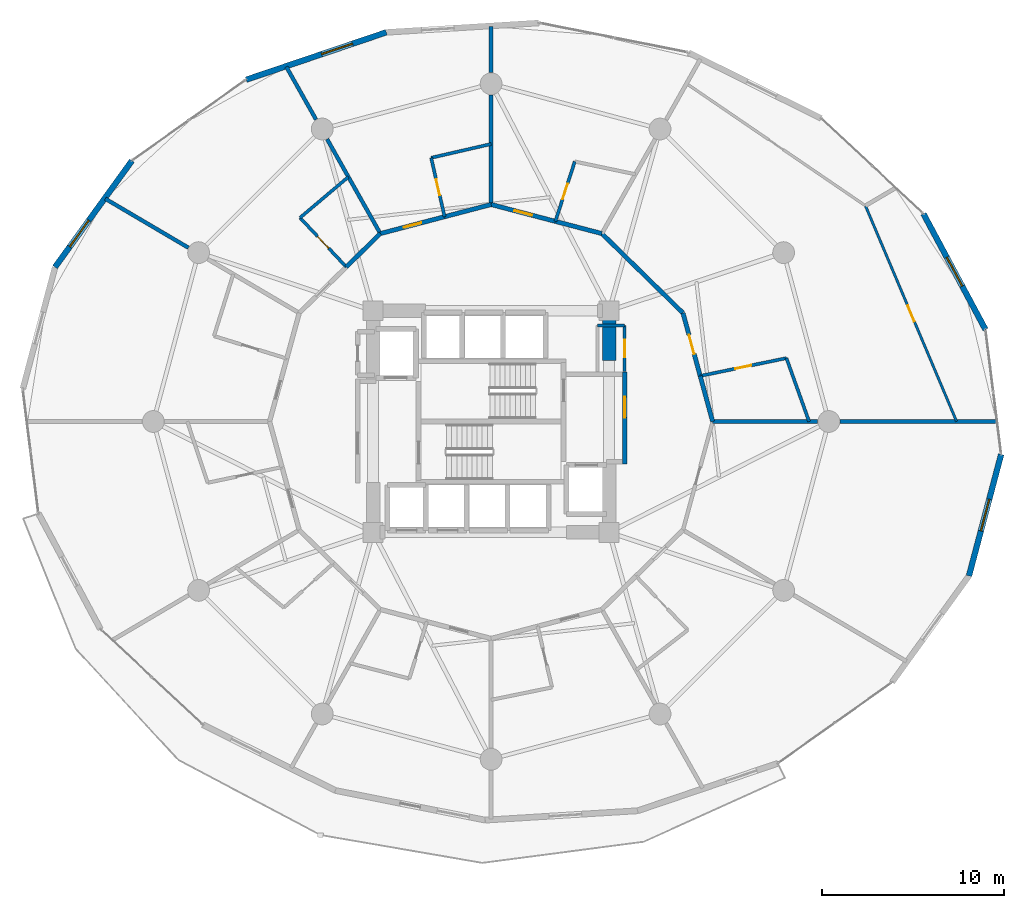
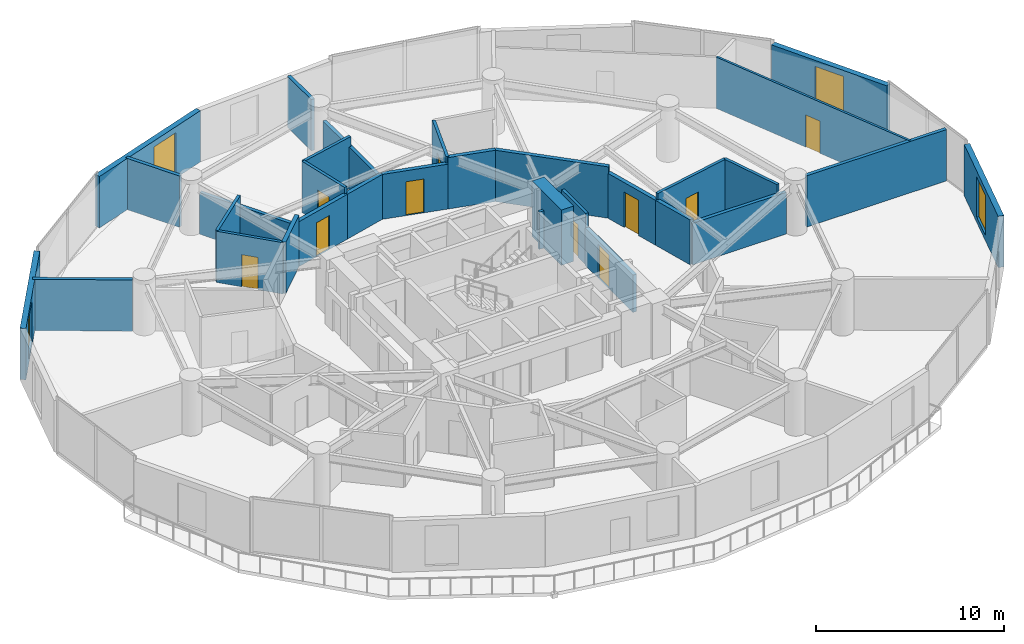
# One storey, part 22 of 26: 31 walls, 10 doors, 4 windows, 14 openings.
"""IFC4 building model written with IfcOpenShell, lengths in metres."""

from ifc_helpers import new_model, si_unit, direction, frame, frame_2d, origin, place, context, subcontext, project, spatial, rectangle, extrude, material, layer, layer_set, type_object, element, fill, save


model = new_model("IFC4")

# Units and contexts
model_context = context("Model", 3, precision=1e-05, world=origin(), true_north=direction((0.0, 1.0)))
body_context = subcontext(model_context, "Body", "Model", "MODEL_VIEW")
ifc_project = project(units=[si_unit("LENGTHUNIT", "METRE"), si_unit("AREAUNIT", "SQUARE_METRE"), si_unit("VOLUMEUNIT", "CUBIC_METRE"), si_unit("PLANEANGLEUNIT", "RADIAN"), si_unit("MASSUNIT", "GRAM", prefix="KILO")], contexts=[model_context])

# Site, building, storey
site_placement = place(None, origin())
site = spatial("IfcSite", under=ifc_project, at=site_placement, CompositionType="ELEMENT")
building_placement = place(site_placement, origin())
building = spatial("IfcBuilding", under=site, at=building_placement, Name="Solvirekh Grand Hotel", CompositionType="ELEMENT")
storey_placement = place(building_placement, frame((0.0, 0.0, 32.0)))
storey = spatial("IfcBuildingStorey", under=building, at=storey_placement, Name="L06", CompositionType="ELEMENT", Elevation=32.0)

# Wall
ifc_material_1 = material(Name="Concrete C60/75", Category="concrete")
ifc_layer_1 = layer(ifc_material_1, 0.75)
ifc_layer_set_1 = layer_set([ifc_layer_1], Name="Concrete C60/75")
wall_type_1 = type_object("IfcWallType", Name="CoreWall_RC750", PredefinedType="SHEAR", material=ifc_layer_set_1)
wall_1_placement = place(storey_placement, frame((6.5, 3.35009765625, 0.0), z_axis=(0.0, 0.0, 1.0), x_axis=(0.0, 1.0, 0.0)))
element("IfcWall", 1, at=wall_1_placement, inside=storey, type_object=wall_type_1, Name="L06 core corner shear wall EN-E", PredefinedType="SHEAR", context=body_context, shape_type="SweptSolid", body=[
    extrude(rectangle(XDim=3.125, YDim=0.75, at=frame_2d((1.5625, 0.0))), origin(), (0.0, 0.0, 1.0), 3.60009765625),
])

# Wall, opening, window
ifc_material_2 = material(Name="Precast concrete C45/55", Category="concrete")
ifc_layer_2 = layer(ifc_material_2, 0.320068359375)
ifc_layer_set_2 = layer_set([ifc_layer_2], Name="Precast concrete C45/55")
wall_type_2 = type_object("IfcWallType", Name="ExtLobbyWall_RC320", PredefinedType="SOLIDWALL", material=ifc_layer_set_2)
wall_2_placement = place(storey_placement, frame((23.81005859375, 11.43896484375, 0.0), z_axis=(0.0, 0.0, 1.0), x_axis=(0.472255130515, -0.881461905985, 0.0)))
wall_2 = element("IfcWall", 2, at=wall_2_placement, inside=storey, type_object=wall_type_2, Name="L06 exterior structural wall chord 2", PredefinedType="SOLIDWALL", context=body_context, shape_type="SweptSolid", body=[
    extrude(rectangle(XDim=7.2333984375, YDim=0.320068359375, at=frame_2d((3.61669921875, 0.0))), origin(), (0.0, 0.0, 1.0), 3.340087890625),
])
opening_1_placement = place(wall_2_placement, frame((2.717041015625, 0.0, 0.35009765625)))
opening_1 = element("IfcOpeningElement", 3, at=opening_1_placement, cuts=wall_2, Name="Opening W02", PredefinedType="OPENING", context=body_context, shape_type="SweptSolid", body=[
    extrude(rectangle(XDim=1.800048828125, YDim=2.60009765625, at=frame_2d((0.89990234375, 1.300048828125))), frame((0.0, 0.169921875, 0.0), z_axis=(0.0, -1.0, 0.0), x_axis=(1.0, 0.0, 0.0)), (0.0, 0.0, 1.0), 0.340087890625),
])
ifc_material_3 = material(Name="Low-E Tinted Bronze Laminated Glass", Category="aluminium")
window_type = type_object("IfcWindowType", Name="Win_LobbyExt_1800X2600", PartitioningType="SINGLE_PANEL", PredefinedType="WINDOW", material=ifc_material_3)
window_1_placement = place(opening_1_placement, origin())
window_1 = element("IfcWindow", 4, at=window_1_placement, inside=storey, type_object=window_type, Name="L06 panoramic bronze-framed window 2", OverallHeight=2.60009765625, OverallWidth=1.800048828125, PartitioningType="SINGLE_PANEL", PredefinedType="WINDOW", context=body_context, shape_type="SweptSolid", body=[
    extrude(rectangle(XDim=1.800048828125, YDim=2.60009765625, at=frame_2d((0.89990234375, 1.300048828125))), frame((0.0, 0.030029296875, 0.0), z_axis=(0.0, -1.0, 0.0), x_axis=(1.0, 0.0, 0.0)), (0.0, 0.0, 1.0), 0.06005859375),
])
fill(opening_1, window_1)

wall_3_placement = place(storey_placement, frame((-13.492919921875, 18.821044921875, 0.0), z_axis=(0.0, 0.0, 1.0), x_axis=(0.94717495877, 0.320717317085, 0.0)))
wall_3 = element("IfcWall", 5, at=wall_3_placement, inside=storey, type_object=wall_type_2, Name="L06 exterior structural wall chord 7", PredefinedType="SOLIDWALL", context=body_context, shape_type="SweptSolid", body=[
    extrude(rectangle(XDim=8.150634765625, YDim=0.320068359375, at=frame_2d((4.0751953125, 0.0))), origin(), (0.0, 0.0, 1.0), 3.340087890625),
])
opening_2_placement = place(wall_3_placement, frame((4.388916015625, 0.0, 0.35009765625)))
opening_2 = element("IfcOpeningElement", 6, at=opening_2_placement, cuts=wall_3, Name="Opening W02", PredefinedType="OPENING", context=body_context, shape_type="SweptSolid", body=[
    extrude(rectangle(XDim=1.800048828125, YDim=2.60009765625, at=frame_2d((0.89990234375, 1.300048828125))), frame((0.0, 0.169921875, 0.0), z_axis=(0.0, -1.0, 0.0), x_axis=(1.0, 0.0, 0.0)), (0.0, 0.0, 1.0), 0.340087890625),
])
window_2_placement = place(opening_2_placement, origin())
window_2 = element("IfcWindow", 7, at=window_2_placement, inside=storey, type_object=window_type, Name="L06 panoramic bronze-framed window 7", OverallHeight=2.60009765625, OverallWidth=1.800048828125, PartitioningType="SINGLE_PANEL", PredefinedType="WINDOW", context=body_context, shape_type="SweptSolid", body=[
    extrude(rectangle(XDim=1.800048828125, YDim=2.60009765625, at=frame_2d((0.89990234375, 1.300048828125))), frame((0.0, 0.030029296875, 0.0), z_axis=(0.0, -1.0, 0.0), x_axis=(1.0, 0.0, 0.0)), (0.0, 0.0, 1.0), 0.06005859375),
])
fill(opening_2, window_2)

wall_4_placement = place(storey_placement, frame((-24.01611328125, 8.5029296875, 0.0), z_axis=(0.0, 0.0, 1.0), x_axis=(0.585883584877, 0.810395227634, 0.0)))
wall_4 = element("IfcWall", 8, at=wall_4_placement, inside=storey, type_object=wall_type_2, Name="L06 exterior structural wall chord 9", PredefinedType="SOLIDWALL", context=body_context, shape_type="SweptSolid", body=[
    extrude(rectangle(XDim=7.233642578125, YDim=0.320068359375, at=frame_2d((3.61669921875, 0.0))), origin(), (0.0, 0.0, 1.0), 3.340087890625),
])
opening_3_placement = place(wall_4_placement, frame((1.385986328125, 0.0, 0.35009765625)))
opening_3 = element("IfcOpeningElement", 9, at=opening_3_placement, cuts=wall_4, Name="Opening W02", PredefinedType="OPENING", context=body_context, shape_type="SweptSolid", body=[
    extrude(rectangle(XDim=1.800048828125, YDim=2.60009765625, at=frame_2d((0.89990234375, 1.300048828125))), frame((0.0, 0.169921875, 0.0), z_axis=(0.0, -1.0, 0.0), x_axis=(1.0, 0.0, 0.0)), (0.0, 0.0, 1.0), 0.340087890625),
])
window_3_placement = place(opening_3_placement, origin())
window_3 = element("IfcWindow", 10, at=window_3_placement, inside=storey, type_object=window_type, Name="L06 panoramic bronze-framed window 9", OverallHeight=2.60009765625, OverallWidth=1.800048828125, PartitioningType="SINGLE_PANEL", PredefinedType="WINDOW", context=body_context, shape_type="SweptSolid", body=[
    extrude(rectangle(XDim=1.800048828125, YDim=2.60009765625, at=frame_2d((0.89990234375, 1.300048828125))), frame((0.0, 0.030029296875, 0.0), z_axis=(0.0, -1.0, 0.0), x_axis=(1.0, 0.0, 0.0)), (0.0, 0.0, 1.0), 0.06005859375),
])
fill(opening_3, window_3)

wall_5_placement = place(storey_placement, frame((28.089111328125, -1.80810546875, 0.0), z_axis=(0.0, 0.0, 1.0), x_axis=(-0.256032082016, -0.966668284873, 0.0)))
wall_5 = element("IfcWall", 11, at=wall_5_placement, inside=storey, type_object=wall_type_2, Name="L06 exterior structural wall chord 20", PredefinedType="SOLIDWALL", context=body_context, shape_type="SweptSolid", body=[
    extrude(rectangle(XDim=6.92578125, YDim=0.320068359375, at=frame_2d((3.462890625, 0.0))), origin(), (0.0, 0.0, 1.0), 3.340087890625),
])
opening_4_placement = place(wall_5_placement, frame((2.56298828125, 0.0, 0.35009765625)))
opening_4 = element("IfcOpeningElement", 12, at=opening_4_placement, cuts=wall_5, Name="Opening W02", PredefinedType="OPENING", context=body_context, shape_type="SweptSolid", body=[
    extrude(rectangle(XDim=1.800048828125, YDim=2.60009765625, at=frame_2d((0.89990234375, 1.300048828125))), frame((0.0, 0.169921875, 0.0), z_axis=(0.0, -1.0, 0.0), x_axis=(1.0, 0.0, 0.0)), (0.0, 0.0, 1.0), 0.340087890625),
])
window_4_placement = place(opening_4_placement, origin())
window_4 = element("IfcWindow", 13, at=window_4_placement, inside=storey, type_object=window_type, Name="L06 panoramic bronze-framed window 20", OverallHeight=2.60009765625, OverallWidth=1.800048828125, PartitioningType="SINGLE_PANEL", PredefinedType="WINDOW", context=body_context, shape_type="SweptSolid", body=[
    extrude(rectangle(XDim=1.800048828125, YDim=2.60009765625, at=frame_2d((0.89990234375, 1.300048828125))), frame((0.0, 0.030029296875, 0.0), z_axis=(0.0, -1.0, 0.0), x_axis=(1.0, 0.0, 0.0)), (0.0, 0.0, 1.0), 0.06005859375),
])
fill(opening_4, window_4)

# Wall, opening, door
ifc_material_4 = material(Name="Acoustic Gypsum Partition Assembly")
ifc_layer_3 = layer(ifc_material_4, 0.1650390625)
ifc_layer_set_3 = layer_set([ifc_layer_3], Name="Acoustic Gypsum Partition Assembly")
wall_type_3 = type_object("IfcWallType", Name="Part_BOH_165", PredefinedType="PARTITIONING", material=ifc_layer_set_3)
wall_6_placement = place(storey_placement, frame((7.35009765625, 2.75, 0.0), z_axis=(0.0, 0.0, 1.0), x_axis=(0.0, 1.0, 0.0)))
wall_6 = element("IfcWall", 14, at=wall_6_placement, inside=storey, type_object=wall_type_3, Name="L06 L06 Core Housekeeping & Linen Room wall 2", PredefinedType="PARTITIONING", context=body_context, shape_type="SweptSolid", body=[
    extrude(rectangle(XDim=2.550048828125, YDim=0.1650390625, at=frame_2d((1.27490234375, 0.0))), origin(), (0.0, 0.0, 1.0), 3.340087890625),
])
opening_5_placement = place(wall_6_placement, frame((0.800048828125, 0.0, 0.0)))
opening_5 = element("IfcOpeningElement", 15, at=opening_5_placement, cuts=wall_6, Name="Opening D10", PredefinedType="OPENING", context=body_context, shape_type="SweptSolid", body=[
    extrude(rectangle(XDim=0.949951171875, YDim=2.10009765625, at=frame_2d((0.47509765625, 1.050048828125))), frame((0.0, 0.092529296875, 0.0), z_axis=(0.0, -1.0, 0.0), x_axis=(1.0, 0.0, 0.0)), (0.0, 0.0, 1.0), 0.18505859375),
])
ifc_material_5 = material(Name="Anodized Bronze Aluminium 6063-T6", Category="aluminium")
door_type_1 = type_object("IfcDoorType", Name="Door_RoomInt_950X2100", OperationType="NOTDEFINED", PredefinedType="DOOR", material=ifc_material_5)
door_1_placement = place(opening_5_placement, origin())
door_1 = element("IfcDoor", 16, at=door_1_placement, inside=storey, type_object=door_type_1, Name="L06 L06 Core Housekeeping & Linen Room door", OperationType="SINGLE_SWING_RIGHT", OverallHeight=2.10009765625, OverallWidth=0.949951171875, PredefinedType="DOOR", context=body_context, shape_type="SweptSolid", body=[
    extrude(rectangle(XDim=0.949951171875, YDim=2.10009765625, at=frame_2d((0.47509765625, 1.050048828125))), frame((0.0, 0.02490234375, 0.0), z_axis=(0.0, -1.0, 0.0), x_axis=(1.0, 0.0, 0.0)), (0.0, 0.0, 1.0), 0.050048828125),
])
fill(opening_5, door_1)

# Wall
wall_7_placement = place(storey_placement, frame((7.35009765625, 5.300048828125, 0.0), z_axis=(0.0, 0.0, 1.0), x_axis=(-1.0, 0.0, 0.0)))
element("IfcWall", 17, at=wall_7_placement, inside=storey, type_object=wall_type_3, Name="L06 L06 Core Housekeeping & Linen Room wall 3", PredefinedType="PARTITIONING", context=body_context, shape_type="SweptSolid", body=[
    extrude(rectangle(XDim=1.5, YDim=0.1650390625, at=frame_2d((0.75, 0.0))), origin(), (0.0, 0.0, 1.0), 2.425048828125),
])

# Wall, opening, door
ifc_layer_4 = layer(ifc_material_4, 0.239990234375)
ifc_layer_set_4 = layer_set([ifc_layer_4], Name="Acoustic Gypsum Partition Assembly")
wall_type_4 = type_object("IfcWallType", Name="Part_Corridor_240", PredefinedType="PARTITIONING", material=ifc_layer_set_4)
wall_8_placement = place(storey_placement, frame((7.35009765625, -2.340087890625, 0.0), z_axis=(0.0, 0.0, 1.0), x_axis=(0.0, 1.0, 0.0)))
wall_8 = element("IfcWall", 18, at=wall_8_placement, inside=storey, type_object=wall_type_4, Name="L06 east firefighting lobby smoke screen wall", PredefinedType="PARTITIONING", context=body_context, shape_type="SweptSolid", body=[
    extrude(rectangle(XDim=5.070068359375, YDim=0.239990234375, at=frame_2d((2.53515625, 0.0))), origin(), (0.0, 0.0, 1.0), 2.425048828125),
])
opening_6_placement = place(wall_8_placement, frame((2.548095703125, 0.0, 0.0)))
opening_6 = element("IfcOpeningElement", 19, at=opening_6_placement, cuts=wall_8, Name="Opening D06", PredefinedType="OPENING", context=body_context, shape_type="SweptSolid", body=[
    extrude(rectangle(XDim=1.14990234375, YDim=2.199951171875, at=frame_2d((0.574951171875, 1.10009765625))), frame((0.0, 0.1298828125, 0.0), z_axis=(0.0, -1.0, 0.0), x_axis=(1.0, 0.0, 0.0)), (0.0, 0.0, 1.0), 0.260009765625),
])
ifc_material_6 = material(Name="Fire-Rated Steel Door Assembly", Category="steel")
door_type_2 = type_object("IfcDoorType", Name="Door_FFLobby_1150X2200", OperationType="NOTDEFINED", PredefinedType="DOOR", material=ifc_material_6)
door_2_placement = place(opening_6_placement, origin())
door_2 = element("IfcDoor", 20, at=door_2_placement, inside=storey, type_object=door_type_2, Name="L06 east firefighting lobby smoke door", OperationType="SINGLE_SWING_RIGHT", OverallHeight=2.199951171875, OverallWidth=1.14990234375, PredefinedType="DOOR", context=body_context, shape_type="SweptSolid", body=[
    extrude(rectangle(XDim=1.14990234375, YDim=2.199951171875, at=frame_2d((0.574951171875, 1.10009765625))), frame((0.0, 0.02490234375, 0.0), z_axis=(0.0, -1.0, 0.0), x_axis=(1.0, 0.0, 0.0)), (0.0, 0.0, 1.0), 0.050048828125),
])
fill(opening_6, door_2)

# Walls
wall_9_placement = place(storey_placement, frame((12.199951171875, 0.0, 0.0), z_axis=(0.0, 0.0, 1.0), x_axis=(-0.263744763784, 0.964592504416, 0.0)))
element("IfcWall", 21, at=wall_9_placement, inside=storey, type_object=wall_type_4, Name="L06 En-suite Bathroom 0801 corridor backing wall", PredefinedType="PARTITIONING", context=body_context, shape_type="SweptSolid", body=[
    extrude(rectangle(XDim=2.60107421875, YDim=0.239990234375, at=frame_2d((1.300537109375, 0.0))), origin(), (0.0, 0.0, 1.0), 2.9189453125),
])
wall_10_placement = place(storey_placement, frame((10.56591796875, 5.97509765625, 0.0), z_axis=(0.0, 0.0, 1.0), x_axis=(-0.714411174131, 0.699726142342, 0.0)))
element("IfcWall", 22, at=wall_10_placement, inside=storey, type_object=wall_type_4, Name="L06 Executive Suite 0801 Living Room corridor wall 1", PredefinedType="PARTITIONING", context=body_context, shape_type="SweptSolid", body=[
    extrude(rectangle(XDim=6.2509765625, YDim=0.239990234375, at=frame_2d((3.12548828125, 0.0))), origin(), (0.0, 0.0, 1.0), 3.340087890625),
])

# Wall, opening, door
wall_11_placement = place(storey_placement, frame((11.513916015625, 2.509033203125, 0.0), z_axis=(0.0, 0.0, 1.0), x_axis=(-0.263818706543, 0.96457228349, 0.0)))
wall_11 = element("IfcWall", 23, at=wall_11_placement, inside=storey, type_object=wall_type_4, Name="L06 Executive Suite 0801 Living Room entrance wall", PredefinedType="PARTITIONING", context=body_context, shape_type="SweptSolid", body=[
    extrude(rectangle(XDim=3.59326171875, YDim=0.239990234375, at=frame_2d((1.796630859375, 0.0))), origin(), (0.0, 0.0, 1.0), 2.9189453125),
])
opening_7_placement = place(wall_11_placement, frame((1.2470703125, 0.0, 0.0)))
opening_7 = element("IfcOpeningElement", 24, at=opening_7_placement, cuts=wall_11, Name="Opening D08", PredefinedType="OPENING", context=body_context, shape_type="SweptSolid", body=[
    extrude(rectangle(XDim=1.10009765625, YDim=2.300048828125, at=frame_2d((0.550048828125, 1.14990234375))), frame((0.0, 0.1298828125, 0.0), z_axis=(0.0, -1.0, 0.0), x_axis=(1.0, 0.0, 0.0)), (0.0, 0.0, 1.0), 0.260009765625),
])
door_type_3 = type_object("IfcDoorType", Name="Door_SuiteEntry_1100X2300", OperationType="NOTDEFINED", PredefinedType="DOOR", material=ifc_material_6)
door_3_placement = place(opening_7_placement, origin())
door_3 = element("IfcDoor", 25, at=door_3_placement, inside=storey, type_object=door_type_3, Name="L06 Executive Suite 0801 Living Room entrance door", OperationType="SINGLE_SWING_RIGHT", OverallHeight=2.300048828125, OverallWidth=1.10009765625, PredefinedType="DOOR", context=body_context, shape_type="SweptSolid", body=[
    extrude(rectangle(XDim=1.10009765625, YDim=2.300048828125, at=frame_2d((0.550048828125, 1.14990234375))), frame((0.0, 0.02490234375, 0.0), z_axis=(0.0, -1.0, 0.0), x_axis=(1.0, 0.0, 0.0)), (0.0, 0.0, 1.0), 0.050048828125),
])
fill(opening_7, door_3)

# Wall
wall_12_placement = place(storey_placement, frame((6.10009765625, 10.34912109375, 0.0), z_axis=(0.0, 0.0, 1.0), x_axis=(-0.967291490053, 0.253667446219, 0.0)))
element("IfcWall", 26, at=wall_12_placement, inside=storey, type_object=wall_type_4, Name="L06 En-suite Bathroom 0802 corridor backing wall", PredefinedType="PARTITIONING", context=body_context, shape_type="SweptSolid", body=[
    extrude(rectangle(XDim=2.648681640625, YDim=0.239990234375, at=frame_2d((1.32421875, 0.0))), origin(), (0.0, 0.0, 1.0), 3.340087890625),
])

# Wall, opening, door
wall_13_placement = place(storey_placement, frame((3.5380859375, 11.02099609375, 0.0), z_axis=(0.0, 0.0, 1.0), x_axis=(-0.96721703222, 0.253951201187, 0.0)))
wall_13 = element("IfcWall", 27, at=wall_13_placement, inside=storey, type_object=wall_type_4, Name="L06 Deluxe Guestroom 0802 entrance wall", PredefinedType="PARTITIONING", context=body_context, shape_type="SweptSolid", body=[
    extrude(rectangle(XDim=3.657958984375, YDim=0.239990234375, at=frame_2d((1.8291015625, 0.0))), origin(), (0.0, 0.0, 1.0), 2.9189453125),
])
opening_8_placement = place(wall_13_placement, frame((1.3291015625, 0.0, 0.0)))
opening_8 = element("IfcOpeningElement", 28, at=opening_8_placement, cuts=wall_13, Name="Opening D07", PredefinedType="OPENING", context=body_context, shape_type="SweptSolid", body=[
    extrude(rectangle(XDim=1.0, YDim=2.199951171875, at=frame_2d((0.5, 1.10009765625))), frame((0.0, 0.1298828125, 0.0), z_axis=(0.0, -1.0, 0.0), x_axis=(1.0, 0.0, 0.0)), (0.0, 0.0, 1.0), 0.260009765625),
])
door_type_4 = type_object("IfcDoorType", Name="Door_GuestEntry_1000X2200", OperationType="NOTDEFINED", PredefinedType="DOOR", material=ifc_material_6)
door_4_placement = place(opening_8_placement, origin())
door_4 = element("IfcDoor", 29, at=door_4_placement, inside=storey, type_object=door_type_4, Name="L06 Deluxe Guestroom 0802 entrance door", OperationType="SINGLE_SWING_RIGHT", OverallHeight=2.199951171875, OverallWidth=1.0, PredefinedType="DOOR", context=body_context, shape_type="SweptSolid", body=[
    extrude(rectangle(XDim=1.0, YDim=2.199951171875, at=frame_2d((0.5, 1.10009765625))), frame((0.0, 0.02490234375, 0.0), z_axis=(0.0, -1.0, 0.0), x_axis=(1.0, 0.0, 0.0)), (0.0, 0.0, 1.0), 0.050048828125),
])
fill(opening_8, door_4)

# Wall
wall_14_placement = place(storey_placement, frame((0.0, 11.949951171875, 0.0), z_axis=(0.0, 0.0, 1.0), x_axis=(-0.967291490053, -0.253667446219, 0.0)))
element("IfcWall", 30, at=wall_14_placement, inside=storey, type_object=wall_type_4, Name="L06 En-suite Bathroom 0803 corridor backing wall", PredefinedType="PARTITIONING", context=body_context, shape_type="SweptSolid", body=[
    extrude(rectangle(XDim=2.648681640625, YDim=0.239990234375, at=frame_2d((1.32421875, 0.0))), origin(), (0.0, 0.0, 1.0), 2.9189453125),
])

# Wall, opening, door
wall_15_placement = place(storey_placement, frame((-2.56201171875, 11.278076171875, 0.0), z_axis=(0.0, 0.0, 1.0), x_axis=(-0.96721703222, -0.253951201187, 0.0)))
wall_15 = element("IfcWall", 31, at=wall_15_placement, inside=storey, type_object=wall_type_4, Name="L06 Deluxe Guestroom 0803 entrance wall", PredefinedType="PARTITIONING", context=body_context, shape_type="SweptSolid", body=[
    extrude(rectangle(XDim=3.657958984375, YDim=0.239990234375, at=frame_2d((1.8291015625, 0.0))), origin(), (0.0, 0.0, 1.0), 2.9189453125),
])
opening_9_placement = place(wall_15_placement, frame((1.3291015625, 0.0, 0.0)))
opening_9 = element("IfcOpeningElement", 32, at=opening_9_placement, cuts=wall_15, Name="Opening D07", PredefinedType="OPENING", context=body_context, shape_type="SweptSolid", body=[
    extrude(rectangle(XDim=1.0, YDim=2.199951171875, at=frame_2d((0.5, 1.10009765625))), frame((0.0, 0.1298828125, 0.0), z_axis=(0.0, -1.0, 0.0), x_axis=(1.0, 0.0, 0.0)), (0.0, 0.0, 1.0), 0.260009765625),
])
door_5_placement = place(opening_9_placement, origin())
door_5 = element("IfcDoor", 33, at=door_5_placement, inside=storey, type_object=door_type_4, Name="L06 Deluxe Guestroom 0803 entrance door", OperationType="SINGLE_SWING_RIGHT", OverallHeight=2.199951171875, OverallWidth=1.0, PredefinedType="DOOR", context=body_context, shape_type="SweptSolid", body=[
    extrude(rectangle(XDim=1.0, YDim=2.199951171875, at=frame_2d((0.5, 1.10009765625))), frame((0.0, 0.02490234375, 0.0), z_axis=(0.0, -1.0, 0.0), x_axis=(1.0, 0.0, 0.0)), (0.0, 0.0, 1.0), 0.050048828125),
])
fill(opening_9, door_5)

# Wall
wall_16_placement = place(storey_placement, frame((-6.10009765625, 10.34912109375, 0.0), z_axis=(0.0, 0.0, 1.0), x_axis=(-0.714460071513, -0.69967621527, 0.0)))
element("IfcWall", 34, at=wall_16_placement, inside=storey, type_object=wall_type_4, Name="L06 En-suite Bathroom 0804 corridor backing wall", PredefinedType="PARTITIONING", context=body_context, shape_type="SweptSolid", body=[
    extrude(rectangle(XDim=2.625732421875, YDim=0.239990234375, at=frame_2d((1.31298828125, 0.0))), origin(), (0.0, 0.0, 1.0), 3.340087890625),
])

# Wall, opening, door
ifc_layer_5 = layer(ifc_material_4, 0.135009765625)
ifc_layer_set_5 = layer_set([ifc_layer_5], Name="Acoustic Gypsum Partition Assembly")
wall_type_5 = type_object("IfcWallType", Name="Part_RoomInt_135", PredefinedType="PARTITIONING", material=ifc_layer_set_5)
wall_17_placement = place(storey_placement, frame((25.635009765625, 0.0, 0.0), z_axis=(0.0, 0.0, 1.0), x_axis=(-0.389280036571, 0.921119456491, 0.0)))
wall_17 = element("IfcWall", 35, at=wall_17_placement, inside=storey, type_object=wall_type_5, Name="L06 Executive Suite 0801 Living Room bedroom screen wall", PredefinedType="PARTITIONING", context=body_context, shape_type="SweptSolid", body=[
    extrude(rectangle(XDim=12.900634765625, YDim=0.135009765625, at=frame_2d((6.4501953125, 0.0))), origin(), (0.0, 0.0, 1.0), 3.340087890625),
])
opening_10_placement = place(wall_17_placement, frame((5.97509765625, 0.0, 0.0)))
opening_10 = element("IfcOpeningElement", 36, at=opening_10_placement, cuts=wall_17, Name="Opening D10", PredefinedType="OPENING", context=body_context, shape_type="SweptSolid", body=[
    extrude(rectangle(XDim=0.949951171875, YDim=2.10009765625, at=frame_2d((0.47509765625, 1.050048828125))), frame((0.0, 0.07763671875, 0.0), z_axis=(0.0, -1.0, 0.0), x_axis=(1.0, 0.0, 0.0)), (0.0, 0.0, 1.0), 0.155029296875),
])
door_6_placement = place(opening_10_placement, origin())
door_6 = element("IfcDoor", 37, at=door_6_placement, inside=storey, type_object=door_type_1, Name="L06 Executive Suite 0801 Living Room master bedroom door", OperationType="SINGLE_SWING_LEFT", OverallHeight=2.10009765625, OverallWidth=0.949951171875, PredefinedType="DOOR", context=body_context, shape_type="SweptSolid", body=[
    extrude(rectangle(XDim=0.949951171875, YDim=2.10009765625, at=frame_2d((0.47509765625, 1.050048828125))), frame((0.0, 0.02490234375, 0.0), z_axis=(0.0, -1.0, 0.0), x_axis=(1.0, 0.0, 0.0)), (0.0, 0.0, 1.0), 0.050048828125),
])
fill(opening_10, door_6)

# Walls
ifc_layer_6 = layer(ifc_material_4, 0.2099609375)
ifc_layer_set_6 = layer_set([ifc_layer_6], Name="Acoustic Gypsum Partition Assembly")
wall_type_6 = type_object("IfcWallType", Name="Part_SuiteDemise_210", PredefinedType="PARTITIONING", material=ifc_layer_set_6)
wall_18_placement = place(storey_placement, frame((12.199951171875, 0.0, 0.0), z_axis=(0.0, 0.0, 1.0), x_axis=(1.0, 0.0, 0.0)))
element("IfcWall", 38, at=wall_18_placement, inside=storey, type_object=wall_type_6, Name="L06 suite radial wall 1 (A)", PredefinedType="PARTITIONING", context=body_context, shape_type="SweptSolid", body=[
    extrude(rectangle(XDim=5.780029296875, YDim=0.2099609375, at=frame_2d((2.89013671875, 0.0))), origin(), (0.0, 0.0, 1.0), 2.708984375),
])
wall_19_placement = place(storey_placement, frame((19.219970703125, 0.0, 0.0), z_axis=(0.0, 0.0, 1.0), x_axis=(1.0, 0.0, 0.0)))
element("IfcWall", 39, at=wall_19_placement, inside=storey, type_object=wall_type_6, Name="L06 suite radial wall 1 (B)", PredefinedType="PARTITIONING", context=body_context, shape_type="SweptSolid", body=[
    extrude(rectangle(XDim=8.60205078125, YDim=0.2099609375, at=frame_2d((4.301025390625, 0.0))), origin(), (0.0, 0.0, 1.0), 3.340087890625),
])
wall_20_placement = place(storey_placement, frame((0.0, 11.949951171875, 0.0), z_axis=(0.0, 0.0, 1.0), x_axis=(0.0, 1.0, 0.0)))
element("IfcWall", 40, at=wall_20_placement, inside=storey, type_object=wall_type_6, Name="L06 suite radial wall 4 (A)", PredefinedType="PARTITIONING", context=body_context, shape_type="SweptSolid", body=[
    extrude(rectangle(XDim=6.030029296875, YDim=0.2099609375, at=frame_2d((3.01513671875, 0.0))), origin(), (0.0, 0.0, 1.0), 2.708984375),
])
wall_21_placement = place(storey_placement, frame((0.0, 19.219970703125, 0.0), z_axis=(0.0, 0.0, 1.0), x_axis=(0.0, 1.0, 0.0)))
element("IfcWall", 41, at=wall_21_placement, inside=storey, type_object=wall_type_6, Name="L06 suite radial wall 4 (B)", PredefinedType="PARTITIONING", context=body_context, shape_type="SweptSolid", body=[
    extrude(rectangle(XDim=2.530029296875, YDim=0.2099609375, at=frame_2d((1.26513671875, 0.0))), origin(), (0.0, 0.0, 1.0), 3.340087890625),
])
wall_22_placement = place(storey_placement, frame((-6.10009765625, 10.34912109375, 0.0), z_axis=(0.0, 0.0, 1.0), x_axis=(-0.491140594116, 0.871080315936, 0.0)))
element("IfcWall", 42, at=wall_22_placement, inside=storey, type_object=wall_type_6, Name="L06 suite radial wall 5 (A)", PredefinedType="PARTITIONING", context=body_context, shape_type="SweptSolid", body=[
    extrude(rectangle(XDim=5.969482421875, YDim=0.2099609375, at=frame_2d((2.98486328125, 0.0))), origin(), (0.0, 0.0, 1.0), 2.708984375),
])
wall_23_placement = place(storey_placement, frame((-9.638916015625, 16.626953125, 0.0), z_axis=(0.0, 0.0, 1.0), x_axis=(-0.491168715891, 0.871064459457, 0.0)))
element("IfcWall", 43, at=wall_23_placement, inside=storey, type_object=wall_type_6, Name="L06 suite radial wall 5 (B)", PredefinedType="PARTITIONING", context=body_context, shape_type="SweptSolid", body=[
    extrude(rectangle(XDim=3.332763671875, YDim=0.2099609375, at=frame_2d((1.66650390625, 0.0))), origin(), (0.0, 0.0, 1.0), 3.340087890625),
])
wall_24_placement = place(storey_placement, frame((-16.6669921875, 9.569091796875, 0.0), z_axis=(0.0, 0.0, 1.0), x_axis=(-0.861651827739, 0.50749987956, 0.0)))
element("IfcWall", 44, at=wall_24_placement, inside=storey, type_object=wall_type_6, Name="L06 suite radial wall 6 (B)", PredefinedType="PARTITIONING", context=body_context, shape_type="SweptSolid", body=[
    extrude(rectangle(XDim=5.314208984375, YDim=0.2099609375, at=frame_2d((2.6572265625, 0.0))), origin(), (0.0, 0.0, 1.0), 3.340087890625),
])
ifc_layer_7 = layer(ifc_material_4, 0.175048828125)
ifc_layer_set_7 = layer_set([ifc_layer_7], Name="Acoustic Gypsum Partition Assembly")
wall_type_7 = type_object("IfcWallType", Name="Plumb_Ensuite_175", PredefinedType="PLUMBINGWALL", material=ifc_layer_set_7)
wall_25_placement = place(storey_placement, frame((17.510986328125, 0.0, 0.0), z_axis=(0.0, 0.0, 1.0), x_axis=(-0.336724431673, 0.94160323763, 0.0)))
element("IfcWall", 45, at=wall_25_placement, inside=storey, type_object=wall_type_7, Name="L06 En-suite Bathroom 0801 outer plumbing wall", PredefinedType="PLUMBINGWALL", context=body_context, shape_type="SweptSolid", body=[
    extrude(rectangle(XDim=3.70654296875, YDim=0.175048828125, at=frame_2d((1.853271484375, 0.0))), origin(), (0.0, 0.0, 1.0), 3.340087890625),
])

# Wall, opening, door
wall_26_placement = place(storey_placement, frame((11.513916015625, 2.509033203125, 0.0), z_axis=(0.0, 0.0, 1.0), x_axis=(0.979325812174, 0.202289281992, 0.0)))
wall_26 = element("IfcWall", 46, at=wall_26_placement, inside=storey, type_object=wall_type_7, Name="L06 En-suite Bathroom 0801 entry plumbing wall", PredefinedType="PLUMBINGWALL", context=body_context, shape_type="SweptSolid", body=[
    extrude(rectangle(XDim=4.849365234375, YDim=0.175048828125, at=frame_2d((2.4248046875, 0.0))), origin(), (0.0, 0.0, 1.0), 3.340087890625),
])
opening_11_placement = place(wall_26_placement, frame((1.97509765625, 0.0, 0.0)))
opening_11 = element("IfcOpeningElement", 47, at=opening_11_placement, cuts=wall_26, Name="Opening D09", PredefinedType="OPENING", context=body_context, shape_type="SweptSolid", body=[
    extrude(rectangle(XDim=0.89990234375, YDim=2.10009765625, at=frame_2d((0.449951171875, 1.050048828125))), frame((0.0, 0.09765625, 0.0), z_axis=(0.0, -1.0, 0.0), x_axis=(1.0, 0.0, 0.0)), (0.0, 0.0, 1.0), 0.195068359375),
])
door_type_5 = type_object("IfcDoorType", Name="Door_Ensuite_900X2100", OperationType="NOTDEFINED", PredefinedType="DOOR", material=ifc_material_5)
door_7_placement = place(opening_11_placement, origin())
door_7 = element("IfcDoor", 48, at=door_7_placement, inside=storey, type_object=door_type_5, Name="L06 En-suite Bathroom 0801 door", OperationType="SINGLE_SWING_LEFT", OverallHeight=2.10009765625, OverallWidth=0.89990234375, PredefinedType="DOOR", context=body_context, shape_type="SweptSolid", body=[
    extrude(rectangle(XDim=0.89990234375, YDim=2.10009765625, at=frame_2d((0.449951171875, 1.050048828125))), frame((0.0, 0.02490234375, 0.0), z_axis=(0.0, -1.0, 0.0), x_axis=(1.0, 0.0, 0.0)), (0.0, 0.0, 1.0), 0.050048828125),
])
fill(opening_11, door_7)

wall_27_placement = place(storey_placement, frame((3.5380859375, 11.02099609375, 0.0), z_axis=(0.0, 0.0, 1.0), x_axis=(0.308646066056, 0.951176958251, 0.0)))
wall_27 = element("IfcWall", 49, at=wall_27_placement, inside=storey, type_object=wall_type_7, Name="L06 En-suite Bathroom 0802 entry plumbing wall", PredefinedType="PLUMBINGWALL", context=body_context, shape_type="SweptSolid", body=[
    extrude(rectangle(XDim=3.463134765625, YDim=0.175048828125, at=frame_2d((1.7314453125, 0.0))), origin(), (0.0, 0.0, 1.0), 3.340087890625),
])
opening_12_placement = place(wall_27_placement, frame((1.281982421875, 0.0, 0.0)))
opening_12 = element("IfcOpeningElement", 50, at=opening_12_placement, cuts=wall_27, Name="Opening D09", PredefinedType="OPENING", context=body_context, shape_type="SweptSolid", body=[
    extrude(rectangle(XDim=0.89990234375, YDim=2.10009765625, at=frame_2d((0.449951171875, 1.050048828125))), frame((0.0, 0.09765625, 0.0), z_axis=(0.0, -1.0, 0.0), x_axis=(1.0, 0.0, 0.0)), (0.0, 0.0, 1.0), 0.195068359375),
])
door_8_placement = place(opening_12_placement, origin())
door_8 = element("IfcDoor", 51, at=door_8_placement, inside=storey, type_object=door_type_5, Name="L06 En-suite Bathroom 0802 door", OperationType="SINGLE_SWING_LEFT", OverallHeight=2.10009765625, OverallWidth=0.89990234375, PredefinedType="DOOR", context=body_context, shape_type="SweptSolid", body=[
    extrude(rectangle(XDim=0.89990234375, YDim=2.10009765625, at=frame_2d((0.449951171875, 1.050048828125))), frame((0.0, 0.02490234375, 0.0), z_axis=(0.0, -1.0, 0.0), x_axis=(1.0, 0.0, 0.0)), (0.0, 0.0, 1.0), 0.050048828125),
])
fill(opening_12, door_8)

# Wall
wall_28_placement = place(storey_placement, frame((0.0, 15.281982421875, 0.0), z_axis=(0.0, 0.0, 1.0), x_axis=(-0.974505253862, -0.224364681257, 0.0)))
element("IfcWall", 52, at=wall_28_placement, inside=storey, type_object=wall_type_7, Name="L06 En-suite Bathroom 0803 outer plumbing wall", PredefinedType="PLUMBINGWALL", context=body_context, shape_type="SweptSolid", body=[
    extrude(rectangle(XDim=3.387451171875, YDim=0.175048828125, at=frame_2d((1.69384765625, 0.0))), origin(), (0.0, 0.0, 1.0), 3.340087890625),
])

# Wall, opening, door
wall_29_placement = place(storey_placement, frame((-2.56201171875, 11.278076171875, 0.0), z_axis=(0.0, 0.0, 1.0), x_axis=(-0.222125372562, 0.97501811207, 0.0)))
wall_29 = element("IfcWall", 53, at=wall_29_placement, inside=storey, type_object=wall_type_7, Name="L06 En-suite Bathroom 0803 entry plumbing wall", PredefinedType="PLUMBINGWALL", context=body_context, shape_type="SweptSolid", body=[
    extrude(rectangle(XDim=3.326904296875, YDim=0.175048828125, at=frame_2d((1.66357421875, 0.0))), origin(), (0.0, 0.0, 1.0), 3.340087890625),
])
opening_13_placement = place(wall_29_placement, frame((1.214111328125, 0.0, 0.0)))
opening_13 = element("IfcOpeningElement", 54, at=opening_13_placement, cuts=wall_29, Name="Opening D09", PredefinedType="OPENING", context=body_context, shape_type="SweptSolid", body=[
    extrude(rectangle(XDim=0.89990234375, YDim=2.10009765625, at=frame_2d((0.449951171875, 1.050048828125))), frame((0.0, 0.09765625, 0.0), z_axis=(0.0, -1.0, 0.0), x_axis=(1.0, 0.0, 0.0)), (0.0, 0.0, 1.0), 0.195068359375),
])
door_9_placement = place(opening_13_placement, origin())
door_9 = element("IfcDoor", 55, at=door_9_placement, inside=storey, type_object=door_type_5, Name="L06 En-suite Bathroom 0803 door", OperationType="SINGLE_SWING_LEFT", OverallHeight=2.10009765625, OverallWidth=0.89990234375, PredefinedType="DOOR", context=body_context, shape_type="SweptSolid", body=[
    extrude(rectangle(XDim=0.89990234375, YDim=2.10009765625, at=frame_2d((0.449951171875, 1.050048828125))), frame((0.0, 0.02490234375, 0.0), z_axis=(0.0, -1.0, 0.0), x_axis=(1.0, 0.0, 0.0)), (0.0, 0.0, 1.0), 0.050048828125),
])
fill(opening_13, door_9)

# Wall
wall_30_placement = place(storey_placement, frame((-7.860107421875, 13.470947265625, 0.0), z_axis=(0.0, 0.0, 1.0), x_axis=(-0.763718302061, -0.645549653471, 0.0)))
element("IfcWall", 56, at=wall_30_placement, inside=storey, type_object=wall_type_7, Name="L06 En-suite Bathroom 0804 outer plumbing wall", PredefinedType="PLUMBINGWALL", context=body_context, shape_type="SweptSolid", body=[
    extrude(rectangle(XDim=3.4853515625, YDim=0.175048828125, at=frame_2d((1.74267578125, 0.0))), origin(), (0.0, 0.0, 1.0), 3.340087890625),
])

# Wall, opening, door
wall_31_placement = place(storey_placement, frame((-7.97607421875, 8.511962890625, 0.0), z_axis=(0.0, 0.0, 1.0), x_axis=(-0.684831906404, 0.72870107724, 0.0)))
wall_31 = element("IfcWall", 57, at=wall_31_placement, inside=storey, type_object=wall_type_7, Name="L06 En-suite Bathroom 0804 entry plumbing wall", PredefinedType="PLUMBINGWALL", context=body_context, shape_type="SweptSolid", body=[
    extrude(rectangle(XDim=3.717529296875, YDim=0.175048828125, at=frame_2d((1.85888671875, 0.0))), origin(), (0.0, 0.0, 1.0), 3.340087890625),
])
opening_14_placement = place(wall_31_placement, frame((1.408935546875, 0.0, 0.0)))
opening_14 = element("IfcOpeningElement", 58, at=opening_14_placement, cuts=wall_31, Name="Opening D09", PredefinedType="OPENING", context=body_context, shape_type="SweptSolid", body=[
    extrude(rectangle(XDim=0.89990234375, YDim=2.10009765625, at=frame_2d((0.449951171875, 1.050048828125))), frame((0.0, 0.09765625, 0.0), z_axis=(0.0, -1.0, 0.0), x_axis=(1.0, 0.0, 0.0)), (0.0, 0.0, 1.0), 0.195068359375),
])
door_10_placement = place(opening_14_placement, origin())
door_10 = element("IfcDoor", 59, at=door_10_placement, inside=storey, type_object=door_type_5, Name="L06 En-suite Bathroom 0804 door", OperationType="SINGLE_SWING_LEFT", OverallHeight=2.10009765625, OverallWidth=0.89990234375, PredefinedType="DOOR", context=body_context, shape_type="SweptSolid", body=[
    extrude(rectangle(XDim=0.89990234375, YDim=2.10009765625, at=frame_2d((0.449951171875, 1.050048828125))), frame((0.0, 0.02490234375, 0.0), z_axis=(0.0, -1.0, 0.0), x_axis=(1.0, 0.0, 0.0)), (0.0, 0.0, 1.0), 0.050048828125),
])
fill(opening_14, door_10)

save(model, "model.ifc")
